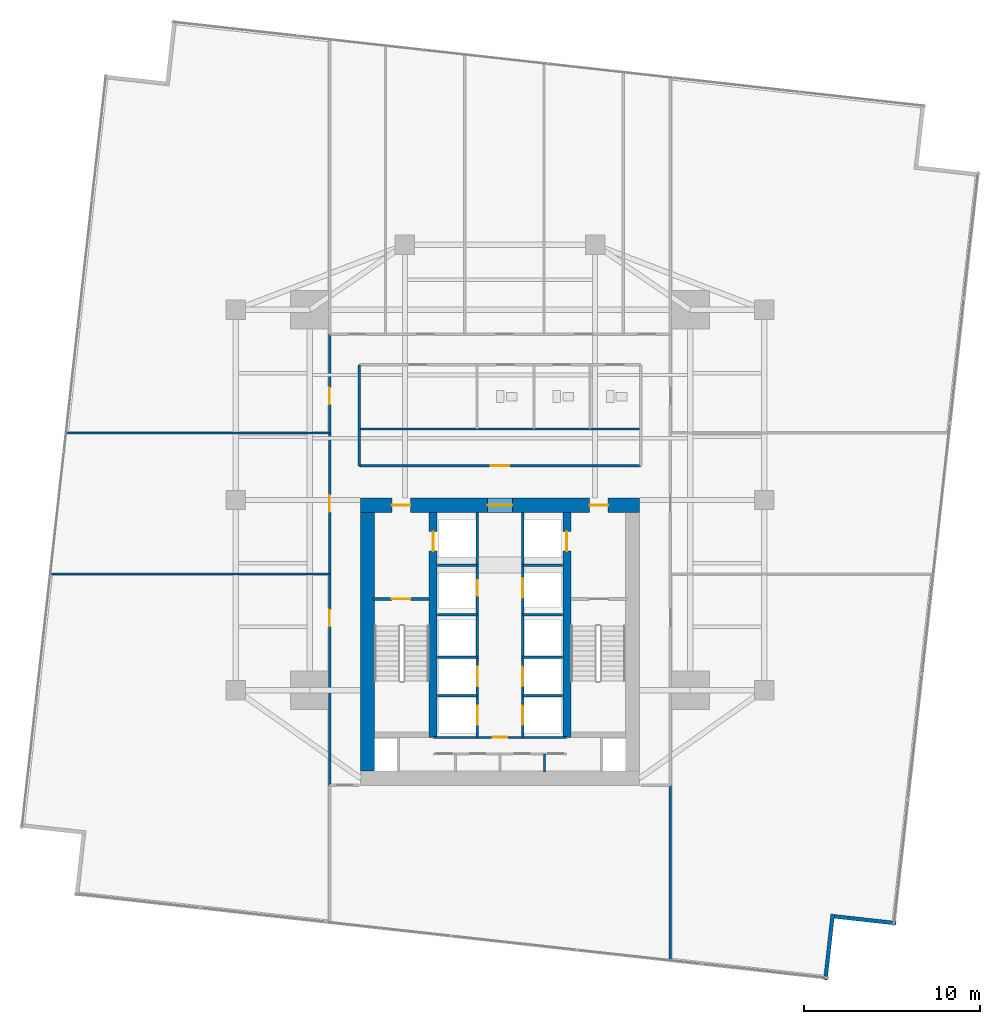
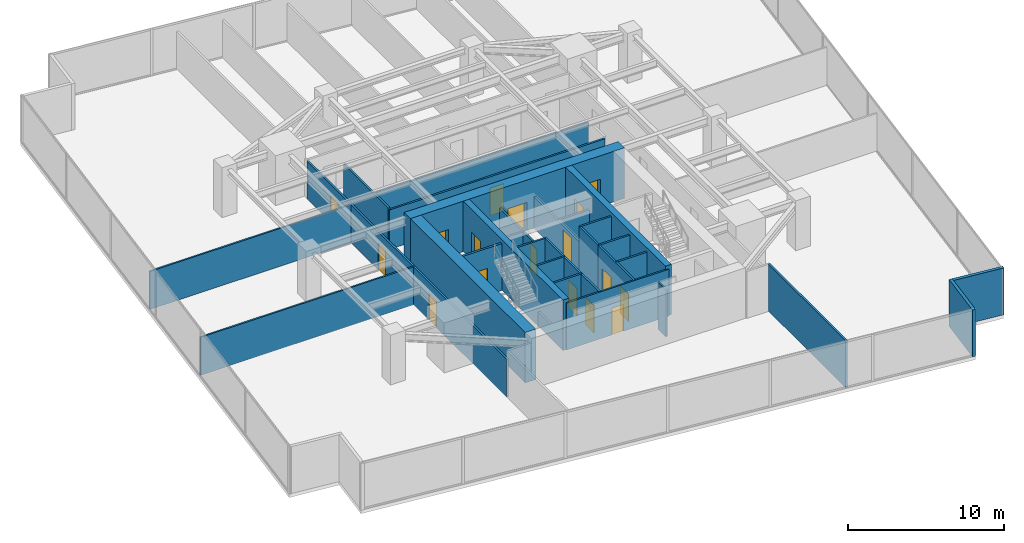
# One storey, part 25 of 31: 30 walls, 17 doors, 17 openings.
"""IFC4 building model written with IfcOpenShell, lengths in metres."""

from ifc_helpers import new_model, si_unit, direction, frame, frame_2d, origin, place, context, subcontext, project, spatial, rectangle, extrude, material, layer, layer_set, type_object, element, fill, save


model = new_model("IFC4")

# Units and contexts
model_context = context("Model", 3, precision=1e-05, world=origin(), true_north=direction((0.0, 1.0)))
body_context = subcontext(model_context, "Body", "Model", "MODEL_VIEW")
ifc_project = project(units=[si_unit("LENGTHUNIT", "METRE"), si_unit("AREAUNIT", "SQUARE_METRE"), si_unit("VOLUMEUNIT", "CUBIC_METRE"), si_unit("PLANEANGLEUNIT", "RADIAN"), si_unit("MASSUNIT", "GRAM", prefix="KILO")], contexts=[model_context])

# Site, building, storey
site_placement = place(None, origin())
site = spatial("IfcSite", under=ifc_project, at=site_placement, CompositionType="ELEMENT")
building_placement = place(site_placement, origin())
building = spatial("IfcBuilding", under=site, at=building_placement, Name="Krantzveldt Concourse Tower", CompositionType="ELEMENT")
storey_placement = place(building_placement, frame((0.0, 0.0, 56.60009765625)))
storey = spatial("IfcBuildingStorey", under=building, at=storey_placement, Name="L13", CompositionType="ELEMENT", Elevation=56.60009765625)

# Walls
ifc_material_1 = material(Name="Anodised aluminium 6063-T6", Category="aluminium")
ifc_layer_1 = layer(ifc_material_1, 0.219970703125, Name="Anodised aluminium 6063-T6", Category="aluminium")
ifc_layer_set_1 = layer_set([ifc_layer_1], Name="Anodised aluminium 6063-T6 (WL-EXT-NOTCH220)")
wall_type_1 = type_object("IfcWallType", Name="WL-EXT-NOTCH220", PredefinedType="ELEMENTEDWALL", material=ifc_layer_set_1)
wall_1_placement = place(storey_placement, frame((54.47900390625, -0.54541015625, 0.0), z_axis=(0.0, 0.0, 1.0), x_axis=(0.111082600583, 0.99381117716, 0.0)))
element("IfcWall", 1, at=wall_1_placement, inside=storey, type_object=wall_type_1, Name="EW-L13-NCH05", PredefinedType="ELEMENTEDWALL", context=body_context, shape_type="SweptSolid", body=[
    extrude(rectangle(XDim=3.7451171875, YDim=0.219970703125, at=frame_2d((1.87255859375, 0.0))), origin(), (0.0, 0.0, 1.0), 3.669921875),
])
wall_2_placement = place(storey_placement, frame((54.991943359375, 3.054931640625, 0.0), z_axis=(0.0, 0.0, 1.0), x_axis=(0.993817675948, -0.111024443135, 0.0)))
element("IfcWall", 2, at=wall_2_placement, inside=storey, type_object=wall_type_1, Name="EW-L13-NCH06", PredefinedType="ELEMENTEDWALL", context=body_context, shape_type="SweptSolid", body=[
    extrude(rectangle(XDim=3.52490234375, YDim=0.219970703125, at=frame_2d((1.762451171875, 0.0))), origin(), (0.0, 0.0, 1.0), 3.669921875),
])

# Wall, opening, door
ifc_material_2 = material(Name="Fire-rated gypsum plasterboard on steel stud", Category="steel")
ifc_layer_2 = layer(ifc_material_2, 0.1201171875, Name="Fire-rated gypsum plasterboard on steel stud", Category="steel")
ifc_layer_set_2 = layer_set([ifc_layer_2], Name="Fire-rated gypsum plasterboard on steel stud (WL-PART-120)")
wall_type_2 = type_object("IfcWallType", Name="WL-PART-120", PredefinedType="PARTITIONING", material=ifc_layer_set_2)
wall_3_placement = place(storey_placement, frame((32.2099609375, 13.219970703125, 0.0), z_axis=(0.0, 0.0, 1.0), x_axis=(1.0, 0.0, 0.0)))
wall_3 = element("IfcWall", 3, at=wall_3_placement, inside=storey, type_object=wall_type_2, Name="WP-L13-CS2H", PredefinedType="PARTITIONING", context=body_context, shape_type="SweptSolid", body=[
    extrude(rectangle(XDim=7.580078125, YDim=0.1201171875, at=frame_2d((3.7900390625, 0.0))), origin(), (0.0, 0.0, 1.0), 3.669921875),
])
opening_1_placement = place(wall_3_placement, frame((3.364990234375, 0.0, 0.0)))
opening_1 = element("IfcOpeningElement", 4, at=opening_1_placement, cuts=wall_3, Name="Opening D-IN085", PredefinedType="OPENING", context=body_context, shape_type="SweptSolid", body=[
    extrude(rectangle(XDim=0.85009765625, YDim=2.10009765625, at=frame_2d((0.425048828125, 1.050048828125))), frame((0.0, 0.070068359375, 0.0), z_axis=(0.0, -1.0, 0.0), x_axis=(1.0, 0.0, 0.0)), (0.0, 0.0, 1.0), 0.14013671875),
])
ifc_material_3 = material(Name="Hardwood timber", Category="wood")
door_type_1 = type_object("IfcDoorType", Name="DR-INT-850", OperationType="SINGLE_SWING_LEFT", PredefinedType="DOOR", material=ifc_material_3)
door_1_placement = place(opening_1_placement, origin())
door_1 = element("IfcDoor", 5, at=door_1_placement, inside=storey, type_object=door_type_1, Name="DR-L13-LLBS", OperationType="SINGLE_SWING_RIGHT", OverallHeight=2.10009765625, OverallWidth=0.85009765625, PredefinedType="DOOR", context=body_context, shape_type="SweptSolid", body=[
    extrude(rectangle(XDim=0.85009765625, YDim=2.10009765625, at=frame_2d((0.425048828125, 1.050048828125))), frame((0.0, 0.02490234375, 0.0), z_axis=(0.0, -1.0, 0.0), x_axis=(1.0, 0.0, 0.0)), (0.0, 0.0, 1.0), 0.050048828125),
])
fill(opening_1, door_1)

# Walls
wall_4_placement = place(storey_placement, frame((38.530029296875, 11.25, 0.0), z_axis=(0.0, 0.0, 1.0), x_axis=(0.0, 1.0, 0.0)))
element("IfcWall", 6, at=wall_4_placement, inside=storey, type_object=wall_type_2, Name="WP-L13-CSD-V3", PredefinedType="PARTITIONING", context=body_context, shape_type="SweptSolid", body=[
    extrude(rectangle(XDim=1.030029296875, YDim=0.1201171875, at=frame_2d((0.51513671875, 0.0))), origin(), (0.0, 0.0, 1.0), 3.669921875),
])
wall_5_placement = place(storey_placement, frame((28.02001953125, 30.739990234375, 0.0), z_axis=(0.0, 0.0, 1.0), x_axis=(1.0, 0.0, 0.0)))
element("IfcWall", 7, at=wall_5_placement, inside=storey, type_object=wall_type_2, Name="WP-L13-ISLM", PredefinedType="PARTITIONING", context=body_context, shape_type="SweptSolid", body=[
    extrude(rectangle(XDim=15.9599609375, YDim=0.1201171875, at=frame_2d((7.97998046875, 0.0))), origin(), (0.0, 0.0, 1.0), 3.079833984375),
])
wall_6_placement = place(storey_placement, frame((10.4658203125, 22.5, 0.0), z_axis=(0.0, 0.0, 1.0), x_axis=(1.0, 0.0, 0.0)))
element("IfcWall", 8, at=wall_6_placement, inside=storey, type_object=wall_type_2, Name="WP-L13-WD1", PredefinedType="PARTITIONING", context=body_context, shape_type="SweptSolid", body=[
    extrude(rectangle(XDim=15.854248046875, YDim=0.1201171875, at=frame_2d((7.92724609375, 0.0))), origin(), (0.0, 0.0, 1.0), 2.969970703125),
])
wall_7_placement = place(storey_placement, frame((11.359619140625, 30.5, 0.0), z_axis=(0.0, 0.0, 1.0), x_axis=(1.0, 0.0, 0.0)))
element("IfcWall", 9, at=wall_7_placement, inside=storey, type_object=wall_type_2, Name="WP-L13-WD2", PredefinedType="PARTITIONING", context=body_context, shape_type="SweptSolid", body=[
    extrude(rectangle(XDim=14.96044921875, YDim=0.1201171875, at=frame_2d((7.480224609375, 0.0))), origin(), (0.0, 0.0, 1.0), 2.969970703125),
])

# Wall, opening, door
ifc_layer_3 = layer(ifc_material_2, 0.139892578125, Name="Fire-rated gypsum plasterboard on steel stud", Category="steel")
ifc_layer_set_3 = layer_set([ifc_layer_3], Name="Fire-rated gypsum plasterboard on steel stud (WL-PART-140)")
wall_type_3 = type_object("IfcWallType", Name="WL-PART-140", PredefinedType="PARTITIONING", material=ifc_layer_set_3)
wall_8_placement = place(storey_placement, frame((28.02001953125, 28.639892578125, 0.0), z_axis=(0.0, 0.0, 1.0), x_axis=(1.0, 0.0, 0.0)))
wall_8 = element("IfcWall", 10, at=wall_8_placement, inside=storey, type_object=wall_type_3, Name="WP-L13-ISLS", PredefinedType="PARTITIONING", context=body_context, shape_type="SweptSolid", body=[
    extrude(rectangle(XDim=15.9599609375, YDim=0.139892578125, at=frame_2d((7.97998046875, 0.0))), origin(), (0.0, 0.0, 1.0), 3.079833984375),
])
opening_2_placement = place(wall_8_placement, frame((7.455078125, 0.0, 0.0)))
opening_2 = element("IfcOpeningElement", 11, at=opening_2_placement, cuts=wall_8, Name="Opening D-IN105", PredefinedType="OPENING", context=body_context, shape_type="SweptSolid", body=[
    extrude(rectangle(XDim=1.050048828125, YDim=2.14990234375, at=frame_2d((0.52490234375, 1.074951171875))), frame((0.0, 0.080078125, 0.0), z_axis=(0.0, -1.0, 0.0), x_axis=(1.0, 0.0, 0.0)), (0.0, 0.0, 1.0), 0.159912109375),
])
door_type_2 = type_object("IfcDoorType", Name="DR-INT-1050", OperationType="SINGLE_SWING_LEFT", PredefinedType="DOOR", material=ifc_material_3)
door_2_placement = place(opening_2_placement, origin())
door_2 = element("IfcDoor", 12, at=door_2_placement, inside=storey, type_object=door_type_2, Name="DR-L13-MIDB", OperationType="SINGLE_SWING_LEFT", OverallHeight=2.14990234375, OverallWidth=1.050048828125, PredefinedType="DOOR", context=body_context, shape_type="SweptSolid", body=[
    extrude(rectangle(XDim=1.050048828125, YDim=2.14990234375, at=frame_2d((0.52490234375, 1.074951171875))), frame((0.0, 0.02490234375, 0.0), z_axis=(0.0, -1.0, 0.0), x_axis=(1.0, 0.0, 0.0)), (0.0, 0.0, 1.0), 0.050048828125),
])
fill(opening_2, door_2)

# Wall
wall_9_placement = place(storey_placement, frame((28.02001953125, 28.639892578125, 0.0), z_axis=(0.0, 0.0, 1.0), x_axis=(0.0, 1.0, 0.0)))
element("IfcWall", 13, at=wall_9_placement, inside=storey, type_object=wall_type_3, Name="WP-L13-ISLW", PredefinedType="PARTITIONING", context=body_context, shape_type="SweptSolid", body=[
    extrude(rectangle(XDim=5.739990234375, YDim=0.139892578125, at=frame_2d((2.8701171875, 0.0))), origin(), (0.0, 0.0, 1.0), 3.219970703125),
])

# Wall, openings, doors
wall_10_placement = place(storey_placement, frame((26.320068359375, 10.5, 0.0), z_axis=(0.0, 0.0, 1.0), x_axis=(0.0, 1.0, 0.0)))
wall_10 = element("IfcWall", 14, at=wall_10_placement, inside=storey, type_object=wall_type_3, Name="WP-L13-CWEST", PredefinedType="PARTITIONING", context=body_context, shape_type="SweptSolid", body=[
    extrude(rectangle(XDim=25.6201171875, YDim=0.139892578125, at=frame_2d((12.81005859375, 0.0))), origin(), (0.0, 0.0, 1.0), 2.969970703125),
])
opening_3_placement = place(wall_10_placement, frame((9.02490234375, 0.0, 0.0)))
opening_3 = element("IfcOpeningElement", 15, at=opening_3_placement, cuts=wall_10, Name="Opening D-IN095", PredefinedType="OPENING", context=body_context, shape_type="SweptSolid", body=[
    extrude(rectangle(XDim=0.949951171875, YDim=2.10009765625, at=frame_2d((0.47509765625, 1.050048828125))), frame((0.0, 0.080078125, 0.0), z_axis=(0.0, -1.0, 0.0), x_axis=(1.0, 0.0, 0.0)), (0.0, 0.0, 1.0), 0.159912109375),
])
opening_4_placement = place(wall_10_placement, frame((15.52490234375, 0.0, 0.0)))
opening_4 = element("IfcOpeningElement", 16, at=opening_4_placement, cuts=wall_10, Name="Opening D-IN095", PredefinedType="OPENING", context=body_context, shape_type="SweptSolid", body=[
    extrude(rectangle(XDim=0.949951171875, YDim=2.10009765625, at=frame_2d((0.47509765625, 1.050048828125))), frame((0.0, 0.080078125, 0.0), z_axis=(0.0, -1.0, 0.0), x_axis=(1.0, 0.0, 0.0)), (0.0, 0.0, 1.0), 0.159912109375),
])
opening_5_placement = place(wall_10_placement, frame((21.625, 0.0, 0.0)))
opening_5 = element("IfcOpeningElement", 17, at=opening_5_placement, cuts=wall_10, Name="Opening D-IN095", PredefinedType="OPENING", context=body_context, shape_type="SweptSolid", body=[
    extrude(rectangle(XDim=0.949951171875, YDim=2.10009765625, at=frame_2d((0.47509765625, 1.050048828125))), frame((0.0, 0.080078125, 0.0), z_axis=(0.0, -1.0, 0.0), x_axis=(1.0, 0.0, 0.0)), (0.0, 0.0, 1.0), 0.159912109375),
])
door_type_3 = type_object("IfcDoorType", Name="DR-INT-950", OperationType="SINGLE_SWING_LEFT", PredefinedType="DOOR", material=ifc_material_3)
door_3_placement = place(opening_3_placement, origin())
door_3 = element("IfcDoor", 18, at=door_3_placement, inside=storey, type_object=door_type_3, Name="DR-L13-WR1", OperationType="SINGLE_SWING_LEFT", OverallHeight=2.10009765625, OverallWidth=0.949951171875, PredefinedType="DOOR", context=body_context, shape_type="SweptSolid", body=[
    extrude(rectangle(XDim=0.949951171875, YDim=2.10009765625, at=frame_2d((0.47509765625, 1.050048828125))), frame((0.0, 0.02490234375, 0.0), z_axis=(0.0, -1.0, 0.0), x_axis=(1.0, 0.0, 0.0)), (0.0, 0.0, 1.0), 0.050048828125),
])
fill(opening_3, door_3)
door_4_placement = place(opening_4_placement, origin())
door_4 = element("IfcDoor", 19, at=door_4_placement, inside=storey, type_object=door_type_3, Name="DR-L13-WR2", OperationType="SINGLE_SWING_LEFT", OverallHeight=2.10009765625, OverallWidth=0.949951171875, PredefinedType="DOOR", context=body_context, shape_type="SweptSolid", body=[
    extrude(rectangle(XDim=0.949951171875, YDim=2.10009765625, at=frame_2d((0.47509765625, 1.050048828125))), frame((0.0, 0.02490234375, 0.0), z_axis=(0.0, -1.0, 0.0), x_axis=(1.0, 0.0, 0.0)), (0.0, 0.0, 1.0), 0.050048828125),
])
fill(opening_4, door_4)
door_5_placement = place(opening_5_placement, origin())
door_5 = element("IfcDoor", 20, at=door_5_placement, inside=storey, type_object=door_type_3, Name="DR-L13-WR3", OperationType="SINGLE_SWING_LEFT", OverallHeight=2.10009765625, OverallWidth=0.949951171875, PredefinedType="DOOR", context=body_context, shape_type="SweptSolid", body=[
    extrude(rectangle(XDim=0.949951171875, YDim=2.10009765625, at=frame_2d((0.47509765625, 1.050048828125))), frame((0.0, 0.02490234375, 0.0), z_axis=(0.0, -1.0, 0.0), x_axis=(1.0, 0.0, 0.0)), (0.0, 0.0, 1.0), 0.050048828125),
])
fill(opening_5, door_5)

# Wall
wall_11_placement = place(storey_placement, frame((45.679931640625, 0.553466796875, 0.0), z_axis=(0.0, 0.0, 1.0), x_axis=(0.0, 1.0, 0.0)))
element("IfcWall", 21, at=wall_11_placement, inside=storey, type_object=wall_type_3, Name="WP-L13-SER", PredefinedType="PARTITIONING", context=body_context, shape_type="SweptSolid", body=[
    extrude(rectangle(XDim=9.946533203125, YDim=0.139892578125, at=frame_2d((4.97314453125, 0.0))), origin(), (0.0, 0.0, 1.0), 3.669921875),
])

# Wall, opening, door
ifc_layer_4 = layer(ifc_material_2, 0.139892578125, Name="Fire-rated gypsum plasterboard on steel stud", Category="steel")
ifc_layer_set_4 = layer_set([ifc_layer_4], Name="Fire-rated gypsum plasterboard on steel stud (WL-PART-FR140)")
wall_type_4 = type_object("IfcWallType", Name="WL-PART-FR140", PredefinedType="PARTITIONING", material=ifc_layer_set_4)
wall_12_placement = place(storey_placement, frame((34.719970703125, 20.199951171875, 0.0), z_axis=(0.0, 0.0, 1.0), x_axis=(0.0, 1.0, 0.0)))
wall_12 = element("IfcWall", 22, at=wall_12_placement, inside=storey, type_object=wall_type_4, Name="WP-L13-SHNW", PredefinedType="PARTITIONING", context=body_context, shape_type="SweptSolid", body=[
    extrude(rectangle(XDim=5.780029296875, YDim=0.139892578125, at=frame_2d((2.89013671875, 0.0))), origin(), (0.0, 0.0, 1.0), 2.469970703125),
])
opening_6_placement = place(wall_12_placement, frame((1.050048828125, 0.0, 0.0)))
opening_6 = element("IfcOpeningElement", 23, at=opening_6_placement, cuts=wall_12, Name="Opening D-FD090", PredefinedType="OPENING", context=body_context, shape_type="SweptSolid", body=[
    extrude(rectangle(XDim=0.89990234375, YDim=2.10009765625, at=frame_2d((0.449951171875, 1.050048828125))), frame((0.0, 0.080078125, 0.0), z_axis=(0.0, -1.0, 0.0), x_axis=(1.0, 0.0, 0.0)), (0.0, 0.0, 1.0), 0.159912109375),
])
door_type_4 = type_object("IfcDoorType", Name="DR-FD60-900", OperationType="SINGLE_SWING_LEFT", PredefinedType="DOOR", material=ifc_material_3)
door_6_placement = place(opening_6_placement, origin())
door_6 = element("IfcDoor", 24, at=door_6_placement, inside=storey, type_object=door_type_4, Name="Electrical Riser Access Door L13", OperationType="SINGLE_SWING_LEFT", OverallHeight=2.10009765625, OverallWidth=0.89990234375, PredefinedType="DOOR", context=body_context, shape_type="SweptSolid", body=[
    extrude(rectangle(XDim=0.89990234375, YDim=2.10009765625, at=frame_2d((0.449951171875, 1.050048828125))), frame((0.0, 0.02490234375, 0.0), z_axis=(0.0, -1.0, 0.0), x_axis=(1.0, 0.0, 0.0)), (0.0, 0.0, 1.0), 0.050048828125),
])
fill(opening_6, door_6)

wall_13_placement = place(storey_placement, frame((37.280029296875, 20.199951171875, 0.0), z_axis=(0.0, 0.0, 1.0), x_axis=(0.0, 1.0, 0.0)))
wall_13 = element("IfcWall", 25, at=wall_13_placement, inside=storey, type_object=wall_type_4, Name="WP-L13-SHNE", PredefinedType="PARTITIONING", context=body_context, shape_type="SweptSolid", body=[
    extrude(rectangle(XDim=5.780029296875, YDim=0.139892578125, at=frame_2d((2.89013671875, 0.0))), origin(), (0.0, 0.0, 1.0), 2.469970703125),
])
opening_7_placement = place(wall_13_placement, frame((0.949951171875, 0.0, 0.0)))
opening_7 = element("IfcOpeningElement", 26, at=opening_7_placement, cuts=wall_13, Name="Opening LD", PredefinedType="OPENING", context=body_context, shape_type="SweptSolid", body=[
    extrude(rectangle(XDim=1.10009765625, YDim=2.14990234375, at=frame_2d((0.550048828125, 1.074951171875))), frame((0.0, 0.080078125, 0.0), z_axis=(0.0, -1.0, 0.0), x_axis=(1.0, 0.0, 0.0)), (0.0, 0.0, 1.0), 0.159912109375),
])
ifc_material_4 = material(Name="Stainless steel 316L", Category="steel")
door_type_5 = type_object("IfcDoorType", Name="DR-SLIDE-LD1100", OperationType="DOUBLE_DOOR_SLIDING", PredefinedType="DOOR", material=ifc_material_4)
door_7_placement = place(opening_7_placement, origin())
door_7 = element("IfcDoor", 27, at=door_7_placement, inside=storey, type_object=door_type_5, Name="LD-L13-GL1", OperationType="DOUBLE_DOOR_SLIDING", OverallHeight=2.14990234375, OverallWidth=1.10009765625, PredefinedType="DOOR", context=body_context, shape_type="SweptSolid", body=[
    extrude(rectangle(XDim=1.10009765625, YDim=2.14990234375, at=frame_2d((0.550048828125, 1.074951171875))), frame((0.0, 0.02490234375, 0.0), z_axis=(0.0, -1.0, 0.0), x_axis=(1.0, 0.0, 0.0)), (0.0, 0.0, 1.0), 0.050048828125),
])
fill(opening_7, door_7)

# Walls
for number, where, z_axis, x_axis, name in (
    (28, (32.449951171875, 23.0, 0.0), (0.0, 0.0, 1.0), (1.0, 0.0, 0.0), "WP-L13-RISH"),
    (29, (37.280029296875, 23.0, 0.0), (0.0, 0.0, 1.0), (1.0, 0.0, 0.0), "WP-L13-GLH"),
):
    element("IfcWall", number, at=place(storey_placement, frame(where, z_axis=z_axis, x_axis=x_axis)), inside=storey, type_object=wall_type_4, Name=name, PredefinedType="PARTITIONING", context=body_context, shape_type="SweptSolid", body=[
        extrude(rectangle(XDim=2.27001953125, YDim=0.139892578125, at=frame_2d((1.135009765625, 0.0))), origin(), (0.0, 0.0, 1.0), 2.469970703125),
    ])
for number, where, z_axis, x_axis, name in (
    (30, (34.719970703125, 17.780029296875, 0.0), (0.0, 0.0, 1.0), (0.0, 1.0, 0.0), "WP-L13-SHNW2"),
    (31, (37.280029296875, 17.780029296875, 0.0), (0.0, 0.0, 1.0), (0.0, 1.0, 0.0), "WP-L13-SHNE2"),
):
    element("IfcWall", number, at=place(storey_placement, frame(where, z_axis=z_axis, x_axis=x_axis)), inside=storey, type_object=wall_type_4, Name=name, PredefinedType="PARTITIONING", context=body_context, shape_type="SweptSolid", body=[
        extrude(rectangle(XDim=2.419921875, YDim=0.139892578125, at=frame_2d((1.2099609375, 0.0))), origin(), (0.0, 0.0, 1.0), 3.669921875),
    ])
for number, where, z_axis, x_axis, name in (
    (32, (32.449951171875, 17.780029296875, 0.0), (0.0, 0.0, 1.0), (1.0, 0.0, 0.0), "WP-L13-DIVW2"),
    (33, (32.449951171875, 20.179931640625, 0.0), (0.0, 0.0, 1.0), (1.0, 0.0, 0.0), "WP-L13-DIVW3"),
    (34, (37.280029296875, 17.780029296875, 0.0), (0.0, 0.0, 1.0), (1.0, 0.0, 0.0), "WP-L13-DIVE2"),
    (35, (37.280029296875, 20.179931640625, 0.0), (0.0, 0.0, 1.0), (1.0, 0.0, 0.0), "WP-L13-DIVE3"),
):
    element("IfcWall", number, at=place(storey_placement, frame(where, z_axis=z_axis, x_axis=x_axis)), inside=storey, type_object=wall_type_4, Name=name, PredefinedType="PARTITIONING", context=body_context, shape_type="SweptSolid", body=[
        extrude(rectangle(XDim=2.27001953125, YDim=0.139892578125, at=frame_2d((1.135009765625, 0.0))), origin(), (0.0, 0.0, 1.0), 3.669921875),
    ])

# Wall, openings, doors
wall_14_placement = place(storey_placement, frame((34.719970703125, 13.219970703125, 0.0), z_axis=(0.0, 0.0, 1.0), x_axis=(0.0, 1.0, 0.0)))
wall_14 = element("IfcWall", 36, at=wall_14_placement, inside=storey, type_object=wall_type_4, Name="WP-L13-SHSW", PredefinedType="PARTITIONING", context=body_context, shape_type="SweptSolid", body=[
    extrude(rectangle(XDim=4.56005859375, YDim=0.139892578125, at=frame_2d((2.280029296875, 0.0))), origin(), (0.0, 0.0, 1.0), 3.669921875),
])
opening_8_placement = place(wall_14_placement, frame((0.7099609375, 0.0, 0.0)))
opening_8 = element("IfcOpeningElement", 37, at=opening_8_placement, cuts=wall_14, Name="Opening LD", PredefinedType="OPENING", context=body_context, shape_type="SweptSolid", body=[
    extrude(rectangle(XDim=1.10009765625, YDim=2.14990234375, at=frame_2d((0.550048828125, 1.074951171875))), frame((0.0, 0.080078125, 0.0), z_axis=(0.0, -1.0, 0.0), x_axis=(1.0, 0.0, 0.0)), (0.0, 0.0, 1.0), 0.159912109375),
])
opening_9_placement = place(wall_14_placement, frame((2.909912109375, 0.0, 0.0)))
opening_9 = element("IfcOpeningElement", 38, at=opening_9_placement, cuts=wall_14, Name="Opening LD", PredefinedType="OPENING", context=body_context, shape_type="SweptSolid", body=[
    extrude(rectangle(XDim=1.10009765625, YDim=2.14990234375, at=frame_2d((0.550048828125, 1.074951171875))), frame((0.0, 0.080078125, 0.0), z_axis=(0.0, -1.0, 0.0), x_axis=(1.0, 0.0, 0.0)), (0.0, 0.0, 1.0), 0.159912109375),
])
door_8_placement = place(opening_8_placement, origin())
door_8 = element("IfcDoor", 39, at=door_8_placement, inside=storey, type_object=door_type_5, Name="LD-L13-PL1", OperationType="DOUBLE_DOOR_SLIDING", OverallHeight=2.14990234375, OverallWidth=1.10009765625, PredefinedType="DOOR", context=body_context, shape_type="SweptSolid", body=[
    extrude(rectangle(XDim=1.10009765625, YDim=2.14990234375, at=frame_2d((0.550048828125, 1.074951171875))), frame((0.0, 0.02490234375, 0.0), z_axis=(0.0, -1.0, 0.0), x_axis=(1.0, 0.0, 0.0)), (0.0, 0.0, 1.0), 0.050048828125),
])
fill(opening_8, door_8)
door_9_placement = place(opening_9_placement, origin())
door_9 = element("IfcDoor", 40, at=door_9_placement, inside=storey, type_object=door_type_5, Name="LD-L13-PL2", OperationType="DOUBLE_DOOR_SLIDING", OverallHeight=2.14990234375, OverallWidth=1.10009765625, PredefinedType="DOOR", context=body_context, shape_type="SweptSolid", body=[
    extrude(rectangle(XDim=1.10009765625, YDim=2.14990234375, at=frame_2d((0.550048828125, 1.074951171875))), frame((0.0, 0.02490234375, 0.0), z_axis=(0.0, -1.0, 0.0), x_axis=(1.0, 0.0, 0.0)), (0.0, 0.0, 1.0), 0.050048828125),
])
fill(opening_9, door_9)

# Wall
wall_15_placement = place(storey_placement, frame((32.449951171875, 15.580078125, 0.0), z_axis=(0.0, 0.0, 1.0), x_axis=(1.0, 0.0, 0.0)))
element("IfcWall", 41, at=wall_15_placement, inside=storey, type_object=wall_type_4, Name="WP-L13-DIVW1", PredefinedType="PARTITIONING", context=body_context, shape_type="SweptSolid", body=[
    extrude(rectangle(XDim=2.27001953125, YDim=0.139892578125, at=frame_2d((1.135009765625, 0.0))), origin(), (0.0, 0.0, 1.0), 3.669921875),
])

# Wall, openings, doors
wall_16_placement = place(storey_placement, frame((37.280029296875, 13.219970703125, 0.0), z_axis=(0.0, 0.0, 1.0), x_axis=(0.0, 1.0, 0.0)))
wall_16 = element("IfcWall", 42, at=wall_16_placement, inside=storey, type_object=wall_type_4, Name="WP-L13-SHSE", PredefinedType="PARTITIONING", context=body_context, shape_type="SweptSolid", body=[
    extrude(rectangle(XDim=4.56005859375, YDim=0.139892578125, at=frame_2d((2.280029296875, 0.0))), origin(), (0.0, 0.0, 1.0), 3.669921875),
])
opening_10_placement = place(wall_16_placement, frame((0.7099609375, 0.0, 0.0)))
opening_10 = element("IfcOpeningElement", 43, at=opening_10_placement, cuts=wall_16, Name="Opening LD", PredefinedType="OPENING", context=body_context, shape_type="SweptSolid", body=[
    extrude(rectangle(XDim=1.10009765625, YDim=2.14990234375, at=frame_2d((0.550048828125, 1.074951171875))), frame((0.0, 0.080078125, 0.0), z_axis=(0.0, -1.0, 0.0), x_axis=(1.0, 0.0, 0.0)), (0.0, 0.0, 1.0), 0.159912109375),
])
opening_11_placement = place(wall_16_placement, frame((2.909912109375, 0.0, 0.0)))
opening_11 = element("IfcOpeningElement", 44, at=opening_11_placement, cuts=wall_16, Name="Opening LD", PredefinedType="OPENING", context=body_context, shape_type="SweptSolid", body=[
    extrude(rectangle(XDim=1.10009765625, YDim=2.14990234375, at=frame_2d((0.550048828125, 1.074951171875))), frame((0.0, 0.080078125, 0.0), z_axis=(0.0, -1.0, 0.0), x_axis=(1.0, 0.0, 0.0)), (0.0, 0.0, 1.0), 0.159912109375),
])
door_10_placement = place(opening_10_placement, origin())
door_10 = element("IfcDoor", 45, at=door_10_placement, inside=storey, type_object=door_type_5, Name="LD-L13-PM1", OperationType="DOUBLE_DOOR_SLIDING", OverallHeight=2.14990234375, OverallWidth=1.10009765625, PredefinedType="DOOR", context=body_context, shape_type="SweptSolid", body=[
    extrude(rectangle(XDim=1.10009765625, YDim=2.14990234375, at=frame_2d((0.550048828125, 1.074951171875))), frame((0.0, 0.02490234375, 0.0), z_axis=(0.0, -1.0, 0.0), x_axis=(1.0, 0.0, 0.0)), (0.0, 0.0, 1.0), 0.050048828125),
])
fill(opening_10, door_10)
door_11_placement = place(opening_11_placement, origin())
door_11 = element("IfcDoor", 46, at=door_11_placement, inside=storey, type_object=door_type_5, Name="LD-L13-PM2", OperationType="DOUBLE_DOOR_SLIDING", OverallHeight=2.14990234375, OverallWidth=1.10009765625, PredefinedType="DOOR", context=body_context, shape_type="SweptSolid", body=[
    extrude(rectangle(XDim=1.10009765625, YDim=2.14990234375, at=frame_2d((0.550048828125, 1.074951171875))), frame((0.0, 0.02490234375, 0.0), z_axis=(0.0, -1.0, 0.0), x_axis=(1.0, 0.0, 0.0)), (0.0, 0.0, 1.0), 0.050048828125),
])
fill(opening_11, door_11)

# Wall
wall_17_placement = place(storey_placement, frame((37.280029296875, 15.580078125, 0.0), z_axis=(0.0, 0.0, 1.0), x_axis=(1.0, 0.0, 0.0)))
element("IfcWall", 47, at=wall_17_placement, inside=storey, type_object=wall_type_4, Name="WP-L13-DIVE1", PredefinedType="PARTITIONING", context=body_context, shape_type="SweptSolid", body=[
    extrude(rectangle(XDim=2.27001953125, YDim=0.139892578125, at=frame_2d((1.135009765625, 0.0))), origin(), (0.0, 0.0, 1.0), 3.669921875),
])

# Wall, opening, door
ifc_layer_5 = layer(ifc_material_2, 0.159912109375, Name="Fire-rated gypsum plasterboard on steel stud", Category="steel")
ifc_layer_set_5 = layer_set([ifc_layer_5], Name="Fire-rated gypsum plasterboard on steel stud (WL-PART-FR160)")
wall_type_5 = type_object("IfcWallType", Name="WL-PART-FR160", PredefinedType="PARTITIONING", material=ifc_layer_set_5)
wall_18_placement = place(storey_placement, frame((28.800048828125, 21.080078125, 0.0), z_axis=(0.0, 0.0, 1.0), x_axis=(1.0, 0.0, 0.0)))
wall_18 = element("IfcWall", 48, at=wall_18_placement, inside=storey, type_object=wall_type_5, Name="WP-L13-ST1", PredefinedType="PARTITIONING", context=body_context, shape_type="SweptSolid", body=[
    extrude(rectangle(XDim=3.159912109375, YDim=0.159912109375, at=frame_2d((1.580078125, 0.0))), origin(), (0.0, 0.0, 1.0), 3.669921875),
])
opening_12_placement = place(wall_18_placement, frame((1.054931640625, 0.0, 0.0)))
opening_12 = element("IfcOpeningElement", 49, at=opening_12_placement, cuts=wall_18, Name="Opening D-FD105", PredefinedType="OPENING", context=body_context, shape_type="SweptSolid", body=[
    extrude(rectangle(XDim=1.050048828125, YDim=2.10009765625, at=frame_2d((0.52490234375, 1.050048828125))), frame((0.0, 0.08984375, 0.0), z_axis=(0.0, -1.0, 0.0), x_axis=(1.0, 0.0, 0.0)), (0.0, 0.0, 1.0), 0.179931640625),
])
ifc_material_5 = material(Name="Galvanised steel", Category="steel")
door_type_6 = type_object("IfcDoorType", Name="DR-FD120-1050", OperationType="SINGLE_SWING_LEFT", PredefinedType="DOOR", material=ifc_material_5)
door_12_placement = place(opening_12_placement, origin())
door_12 = element("IfcDoor", 50, at=door_12_placement, inside=storey, type_object=door_type_6, Name="DR-L13-ST1", OperationType="SINGLE_SWING_RIGHT", OverallHeight=2.10009765625, OverallWidth=1.050048828125, PredefinedType="DOOR", context=body_context, shape_type="SweptSolid", body=[
    extrude(rectangle(XDim=1.050048828125, YDim=2.10009765625, at=frame_2d((0.52490234375, 1.050048828125))), frame((0.0, 0.02490234375, 0.0), z_axis=(0.0, -1.0, 0.0), x_axis=(1.0, 0.0, 0.0)), (0.0, 0.0, 1.0), 0.050048828125),
])
fill(opening_12, door_12)

ifc_material_6 = material(Name="Concrete C50/60", Category="concrete")
ifc_layer_6 = layer(ifc_material_6, 0.449951171875, Name="Concrete C50/60", Category="concrete")
ifc_layer_set_6 = layer_set([ifc_layer_6], Name="Concrete C50/60 (WL-SHEAR-450)")
wall_type_6 = type_object("IfcWallType", Name="WL-SHEAR-450", PredefinedType="SHEAR", material=ifc_layer_set_6)
wall_19_placement = place(storey_placement, frame((32.205078125, 13.219970703125, 0.0), z_axis=(0.0, 0.0, 1.0), x_axis=(0.0, 1.0, 0.0)))
wall_19 = element("IfcWall", 51, at=wall_19_placement, inside=storey, type_object=wall_type_6, Name="CW-L13-IW", PredefinedType="SHEAR", context=body_context, shape_type="SweptSolid", body=[
    extrude(rectangle(XDim=12.780029296875, YDim=0.449951171875, at=frame_2d((6.39013671875, 0.0))), origin(), (0.0, 0.0, 1.0), 3.949951171875),
])
opening_13_placement = place(wall_19_placement, frame((10.580078125, 0.0, 0.0)))
opening_13 = element("IfcOpeningElement", 52, at=opening_13_placement, cuts=wall_19, Name="Opening LD", PredefinedType="OPENING", context=body_context, shape_type="SweptSolid", body=[
    extrude(rectangle(XDim=1.10009765625, YDim=2.14990234375, at=frame_2d((0.550048828125, 1.074951171875))), frame((0.0, 0.23486328125, 0.0), z_axis=(0.0, -1.0, 0.0), x_axis=(1.0, 0.0, 0.0)), (0.0, 0.0, 1.0), 0.469970703125),
])
door_13_placement = place(opening_13_placement, origin())
door_13 = element("IfcDoor", 53, at=door_13_placement, inside=storey, type_object=door_type_5, Name="LD-L13-FL1", OperationType="DOUBLE_DOOR_SLIDING", OverallHeight=2.14990234375, OverallWidth=1.10009765625, PredefinedType="DOOR", context=body_context, shape_type="SweptSolid", body=[
    extrude(rectangle(XDim=1.10009765625, YDim=2.14990234375, at=frame_2d((0.550048828125, 1.074951171875))), frame((0.0, 0.02490234375, 0.0), z_axis=(0.0, -1.0, 0.0), x_axis=(1.0, 0.0, 0.0)), (0.0, 0.0, 1.0), 0.050048828125),
])
fill(opening_13, door_13)

wall_20_placement = place(storey_placement, frame((39.794921875, 13.219970703125, 0.0), z_axis=(0.0, 0.0, 1.0), x_axis=(0.0, 1.0, 0.0)))
wall_20 = element("IfcWall", 54, at=wall_20_placement, inside=storey, type_object=wall_type_6, Name="CW-L13-IE", PredefinedType="SHEAR", context=body_context, shape_type="SweptSolid", body=[
    extrude(rectangle(XDim=12.780029296875, YDim=0.449951171875, at=frame_2d((6.39013671875, 0.0))), origin(), (0.0, 0.0, 1.0), 3.949951171875),
])
opening_14_placement = place(wall_20_placement, frame((10.580078125, 0.0, 0.0)))
opening_14 = element("IfcOpeningElement", 55, at=opening_14_placement, cuts=wall_20, Name="Opening LD", PredefinedType="OPENING", context=body_context, shape_type="SweptSolid", body=[
    extrude(rectangle(XDim=1.10009765625, YDim=2.14990234375, at=frame_2d((0.550048828125, 1.074951171875))), frame((0.0, 0.23486328125, 0.0), z_axis=(0.0, -1.0, 0.0), x_axis=(1.0, 0.0, 0.0)), (0.0, 0.0, 1.0), 0.469970703125),
])
door_14_placement = place(opening_14_placement, origin())
door_14 = element("IfcDoor", 56, at=door_14_placement, inside=storey, type_object=door_type_5, Name="LD-L13-FL2", OperationType="DOUBLE_DOOR_SLIDING", OverallHeight=2.14990234375, OverallWidth=1.10009765625, PredefinedType="DOOR", context=body_context, shape_type="SweptSolid", body=[
    extrude(rectangle(XDim=1.10009765625, YDim=2.14990234375, at=frame_2d((0.550048828125, 1.074951171875))), frame((0.0, 0.02490234375, 0.0), z_axis=(0.0, -1.0, 0.0), x_axis=(1.0, 0.0, 0.0)), (0.0, 0.0, 1.0), 0.050048828125),
])
fill(opening_14, door_14)

# Wall, openings, doors
ifc_material_7 = material(Name="Concrete C60/75", Category="concrete")
ifc_layer_7 = layer(ifc_material_7, 0.800048828125, Name="Concrete C60/75", Category="concrete")
ifc_layer_set_7 = layer_set([ifc_layer_7], Name="Concrete C60/75 (WL-SHEAR-800)")
wall_type_7 = type_object("IfcWallType", Name="WL-SHEAR-800", PredefinedType="SHEAR", material=ifc_layer_set_7)
wall_21_placement = place(storey_placement, frame((28.080078125, 26.39990234375, 0.0), z_axis=(0.0, 0.0, 1.0), x_axis=(1.0, 0.0, 0.0)))
wall_21 = element("IfcWall", 57, at=wall_21_placement, inside=storey, type_object=wall_type_7, Name="CW-L13-N", PredefinedType="SHEAR", context=body_context, shape_type="SweptSolid", body=[
    extrude(rectangle(XDim=15.83984375, YDim=0.800048828125, at=frame_2d((7.919921875, 0.0))), origin(), (0.0, 0.0, 1.0), 3.949951171875),
])
opening_15_placement = place(wall_21_placement, frame((7.219970703125, 0.0, 0.0)))
opening_15 = element("IfcOpeningElement", 58, at=opening_15_placement, cuts=wall_21, Name="Opening D-DB140", PredefinedType="OPENING", context=body_context, shape_type="SweptSolid", body=[
    extrude(rectangle(XDim=1.39990234375, YDim=2.199951171875, at=frame_2d((0.699951171875, 1.10009765625))), frame((0.0, 0.41015625, 0.0), z_axis=(0.0, -1.0, 0.0), x_axis=(1.0, 0.0, 0.0)), (0.0, 0.0, 1.0), 0.820068359375),
])
opening_16_placement = place(wall_21_placement, frame((1.77490234375, 0.0, 0.0)))
opening_16 = element("IfcOpeningElement", 59, at=opening_16_placement, cuts=wall_21, Name="Opening D-FD105", PredefinedType="OPENING", context=body_context, shape_type="SweptSolid", body=[
    extrude(rectangle(XDim=1.050048828125, YDim=2.10009765625, at=frame_2d((0.52490234375, 1.050048828125))), frame((0.0, 0.41015625, 0.0), z_axis=(0.0, -1.0, 0.0), x_axis=(1.0, 0.0, 0.0)), (0.0, 0.0, 1.0), 0.820068359375),
])
opening_17_placement = place(wall_21_placement, frame((13.014892578125, 0.0, 0.0)))
opening_17 = element("IfcOpeningElement", 60, at=opening_17_placement, cuts=wall_21, Name="Opening D-FD105", PredefinedType="OPENING", context=body_context, shape_type="SweptSolid", body=[
    extrude(rectangle(XDim=1.050048828125, YDim=2.10009765625, at=frame_2d((0.52490234375, 1.050048828125))), frame((0.0, 0.41015625, 0.0), z_axis=(0.0, -1.0, 0.0), x_axis=(1.0, 0.0, 0.0)), (0.0, 0.0, 1.0), 0.820068359375),
])
door_type_7 = type_object("IfcDoorType", Name="DR-DBL-1400", OperationType="DOUBLE_DOOR_SINGLE_SWING", PredefinedType="DOOR", material=ifc_material_1)
door_15_placement = place(opening_15_placement, origin())
door_15 = element("IfcDoor", 61, at=door_15_placement, inside=storey, type_object=door_type_7, Name="DR-L13-LLB", OperationType="DOUBLE_DOOR_SINGLE_SWING", OverallHeight=2.199951171875, OverallWidth=1.39990234375, PredefinedType="DOOR", context=body_context, shape_type="SweptSolid", body=[
    extrude(rectangle(XDim=1.39990234375, YDim=2.199951171875, at=frame_2d((0.699951171875, 1.10009765625))), frame((0.0, 0.02490234375, 0.0), z_axis=(0.0, -1.0, 0.0), x_axis=(1.0, 0.0, 0.0)), (0.0, 0.0, 1.0), 0.050048828125),
])
fill(opening_15, door_15)
door_16_placement = place(opening_16_placement, origin())
door_16 = element("IfcDoor", 62, at=door_16_placement, inside=storey, type_object=door_type_6, Name="DR-L13-FFL1", OperationType="SINGLE_SWING_LEFT", OverallHeight=2.10009765625, OverallWidth=1.050048828125, PredefinedType="DOOR", context=body_context, shape_type="SweptSolid", body=[
    extrude(rectangle(XDim=1.050048828125, YDim=2.10009765625, at=frame_2d((0.52490234375, 1.050048828125))), frame((0.0, 0.02490234375, 0.0), z_axis=(0.0, -1.0, 0.0), x_axis=(1.0, 0.0, 0.0)), (0.0, 0.0, 1.0), 0.050048828125),
])
fill(opening_16, door_16)
door_17_placement = place(opening_17_placement, origin())
door_17 = element("IfcDoor", 63, at=door_17_placement, inside=storey, type_object=door_type_6, Name="DR-L13-FFL2", OperationType="SINGLE_SWING_RIGHT", OverallHeight=2.10009765625, OverallWidth=1.050048828125, PredefinedType="DOOR", context=body_context, shape_type="SweptSolid", body=[
    extrude(rectangle(XDim=1.050048828125, YDim=2.10009765625, at=frame_2d((0.52490234375, 1.050048828125))), frame((0.0, 0.02490234375, 0.0), z_axis=(0.0, -1.0, 0.0), x_axis=(1.0, 0.0, 0.0)), (0.0, 0.0, 1.0), 0.050048828125),
])
fill(opening_17, door_17)

# Wall
wall_22_placement = place(storey_placement, frame((28.47998046875, 11.300048828125, 0.0), z_axis=(0.0, 0.0, 1.0), x_axis=(0.0, 1.0, 0.0)))
element("IfcWall", 64, at=wall_22_placement, inside=storey, type_object=wall_type_7, Name="CW-L13-W", PredefinedType="SHEAR", context=body_context, shape_type="SweptSolid", body=[
    extrude(rectangle(XDim=14.699951171875, YDim=0.800048828125, at=frame_2d((7.35009765625, 0.0))), origin(), (0.0, 0.0, 1.0), 3.949951171875),
])

save(model, "model.ifc")
